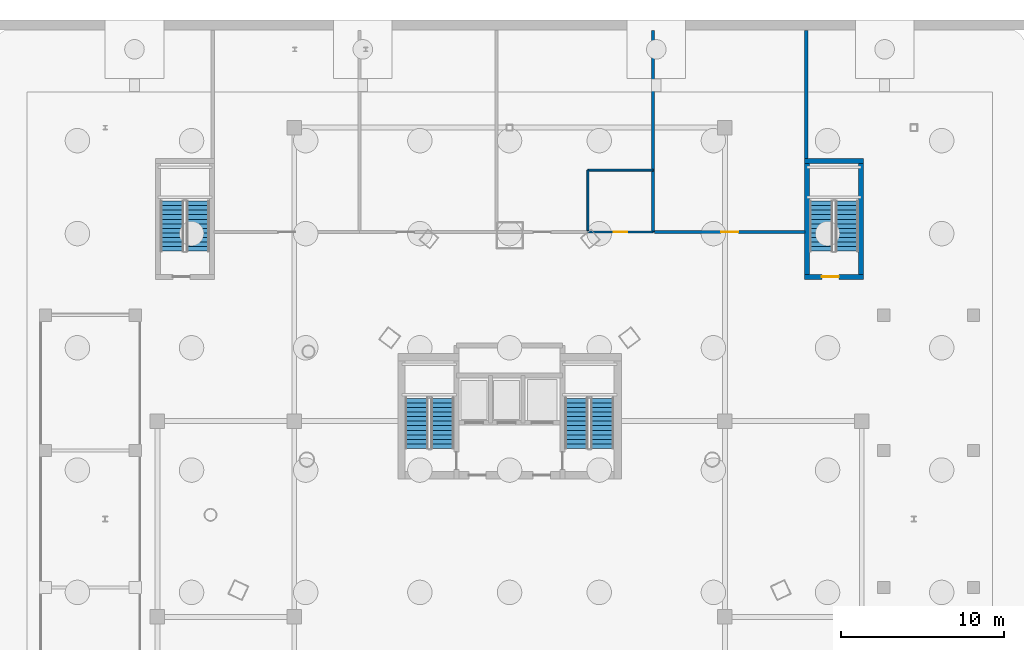
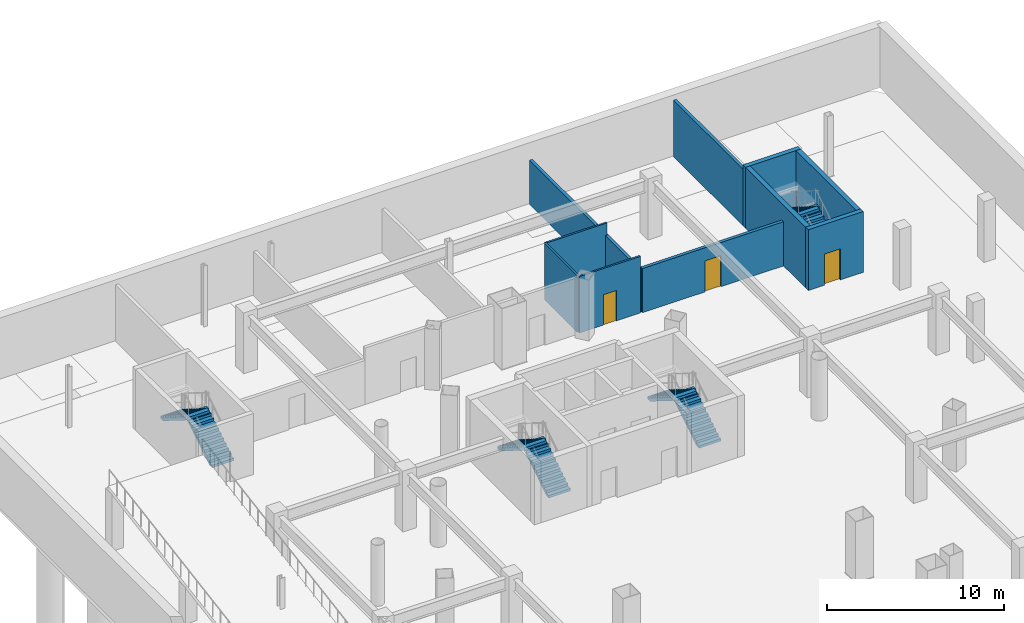
# One storey, part 8 of 12: 10 walls, 8 stair flights, 3 doors, 3 openings, 4 elements without a shape of their own.
"""IFC4 building model written with IfcOpenShell, lengths in metres."""

from ifc_helpers import new_model, si_unit, direction, frame, frame_2d, origin, place, context, subcontext, project, spatial, polyline, rectangle, outline, extrude, material, layer, layer_set, type_object, element, fill, aggregate, save


model = new_model("IFC4")

# Units and contexts
model_context = context("Model", 3, precision=1e-05, world=origin(), true_north=direction((0.0, 1.0)))
body_context = subcontext(model_context, "Body", "Model", "MODEL_VIEW")
ifc_project = project(units=[si_unit("LENGTHUNIT", "METRE"), si_unit("AREAUNIT", "SQUARE_METRE"), si_unit("VOLUMEUNIT", "CUBIC_METRE"), si_unit("PLANEANGLEUNIT", "RADIAN"), si_unit("MASSUNIT", "GRAM", prefix="KILO")], contexts=[model_context])

# Site, building, storey
site_placement = place(None, origin())
site = spatial("IfcSite", under=ifc_project, at=site_placement, CompositionType="ELEMENT")
building_placement = place(site_placement, origin())
building = spatial("IfcBuilding", under=site, at=building_placement, Name="Orvanel Arch Residences", CompositionType="ELEMENT")
storey_placement = place(building_placement, frame((0.0, 0.0, -8.39990234375)))
storey = spatial("IfcBuildingStorey", under=building, at=storey_placement, Name="B02", CompositionType="ELEMENT", Elevation=-8.39990234375)

# Walls
ifc_material_1 = material(Name="Concrete S80 (80 MPa)", Category="concrete")
ifc_layer_1 = layer(ifc_material_1, 0.300048828125)
ifc_layer_set_1 = layer_set([ifc_layer_1], Name="Concrete S80 (80 MPa)")
wall_type_1 = type_object("IfcWallType", Name="SW-CORE-300", PredefinedType="SHEAR", material=ifc_layer_set_1)
for number, where, z_axis, x_axis, name in (
    (1, (51.25, 38.699951171875, 0.0), (0.0, 0.0, 1.0), (0.0, 1.0, 0.0), "B02 ST4 West Shear Wall"),
    (2, (54.550048828125, 38.699951171875, 0.0), (0.0, 0.0, 1.0), (0.0, 1.0, 0.0), "B02 ST4 East Shear Wall"),
):
    element("IfcWall", number, at=place(storey_placement, frame(where, z_axis=z_axis, x_axis=x_axis)), inside=storey, type_object=wall_type_1, Name=name, PredefinedType="SHEAR", context=body_context, shape_type="SweptSolid", body=[
        extrude(rectangle(XDim=7.400146484375, YDim=0.300048828125, at=frame_2d((3.7001953125, 0.0))), origin(), (0.0, 0.0, 1.0), 4.199951171875),
    ])
wall_1_placement = place(storey_placement, frame((51.10009765625, 45.949951171875, 0.0), z_axis=(0.0, 0.0, 1.0), x_axis=(1.0, 0.0, 0.0)))
element("IfcWall", 3, at=wall_1_placement, inside=storey, type_object=wall_type_1, Name="B02 ST4 North Shear Wall", PredefinedType="SHEAR", context=body_context, shape_type="SweptSolid", body=[
    extrude(rectangle(XDim=3.599853515625, YDim=0.300048828125, at=frame_2d((1.7998046875, 0.0))), origin(), (0.0, 0.0, 1.0), 4.199951171875),
])

# Wall, opening, door
wall_2_placement = place(storey_placement, frame((51.10009765625, 38.85009765625, 0.0), z_axis=(0.0, 0.0, 1.0), x_axis=(1.0, 0.0, 0.0)))
wall_2 = element("IfcWall", 4, at=wall_2_placement, inside=storey, type_object=wall_type_1, Name="B02 ST4 South Shear Wall", PredefinedType="SHEAR", context=body_context, shape_type="SweptSolid", body=[
    extrude(rectangle(XDim=3.599853515625, YDim=0.300048828125, at=frame_2d((1.7998046875, 0.0))), origin(), (0.0, 0.0, 1.0), 4.199951171875),
])
opening_1_placement = place(wall_2_placement, frame((1.050048828125, 0.0, 0.0)))
opening_1 = element("IfcOpeningElement", 5, at=opening_1_placement, cuts=wall_2, Name="Opening DF-120", PredefinedType="OPENING", context=body_context, shape_type="SweptSolid", body=[
    extrude(rectangle(XDim=1.050048828125, YDim=2.14990234375, at=frame_2d((0.52490234375, 1.074951171875))), frame((0.0, 0.159912109375, 0.0), z_axis=(0.0, -1.0, 0.0), x_axis=(1.0, 0.0, 0.0)), (0.0, 0.0, 1.0), 0.320068359375),
])
ifc_material_2 = material(Name="Galvanised steel fire-resisting door assembly", Category="steel")
door_type_1 = type_object("IfcDoorType", Name="DR-FD120-1050", OperationType="NOTDEFINED", PredefinedType="DOOR", material=ifc_material_2)
door_1_placement = place(opening_1_placement, origin())
door_1 = element("IfcDoor", 6, at=door_1_placement, inside=storey, type_object=door_type_1, Name="DR-B02-ST4 B02 ST4 Exit Door", OperationType="SINGLE_SWING_LEFT", OverallHeight=2.14990234375, OverallWidth=1.050048828125, PredefinedType="DOOR", context=body_context, shape_type="SweptSolid", body=[
    extrude(rectangle(XDim=1.050048828125, YDim=2.14990234375, at=frame_2d((0.52490234375, 1.074951171875))), frame((0.0, 0.02490234375, 0.0), z_axis=(0.0, -1.0, 0.0), x_axis=(1.0, 0.0, 0.0)), (0.0, 0.0, 1.0), 0.050048828125),
])
fill(opening_1, door_1)

# Walls
ifc_material_3 = material(Name="Fire-rated plasterboard lined steel stud partition", Category="steel")
ifc_layer_2 = layer(ifc_material_3, 0.199951171875)
ifc_layer_set_2 = layer_set([ifc_layer_2], Name="Fire-rated plasterboard lined steel stud partition")
wall_type_2 = type_object("IfcWallType", Name="W-PLT-200", PredefinedType="PARTITIONING", material=ifc_layer_set_2)
wall_3_placement = place(storey_placement, frame((51.199951171875, 46.10009765625, 0.0), z_axis=(0.0, 0.0, 1.0), x_axis=(0.0, 1.0, 0.0)))
element("IfcWall", 7, at=wall_3_placement, inside=storey, type_object=wall_type_2, Name="B02 North Band East Wall", PredefinedType="PARTITIONING", context=body_context, shape_type="SweptSolid", body=[
    extrude(rectangle(XDim=7.849853515625, YDim=0.199951171875, at=frame_2d((3.9248046875, 0.0))), origin(), (0.0, 0.0, 1.0), 3.89990234375),
])
wall_4_placement = place(storey_placement, frame((41.800048828125, 41.60009765625, 0.0), z_axis=(0.0, 0.0, 1.0), x_axis=(0.0, 1.0, 0.0)))
element("IfcWall", 8, at=wall_4_placement, inside=storey, type_object=wall_type_2, Name="B02 Plant West Wall", PredefinedType="PARTITIONING", context=body_context, shape_type="SweptSolid", body=[
    extrude(rectangle(XDim=12.349853515625, YDim=0.199951171875, at=frame_2d((6.1748046875, 0.0))), origin(), (0.0, 0.0, 1.0), 3.048828125),
])

# Wall, opening, door
wall_5_placement = place(storey_placement, frame((41.885009765625, 41.60009765625, 0.0), z_axis=(0.0, 0.0, 1.0), x_axis=(1.0, 0.0, 0.0)))
wall_5 = element("IfcWall", 9, at=wall_5_placement, inside=storey, type_object=wall_type_2, Name="B02 Domestic Cold Water and Stormwater Building Services Plant Front Wall", PredefinedType="PARTITIONING", context=body_context, shape_type="SweptSolid", body=[
    extrude(rectangle(XDim=9.22998046875, YDim=0.199951171875, at=frame_2d((4.614990234375, 0.0))), origin(), (0.0, 0.0, 1.0), 3.048828125),
])
opening_2_placement = place(wall_5_placement, frame((4.090087890625, 0.0, 0.0)))
opening_2 = element("IfcOpeningElement", 10, at=opening_2_placement, cuts=wall_5, Name="Opening DF-120", PredefinedType="OPENING", context=body_context, shape_type="SweptSolid", body=[
    extrude(rectangle(XDim=1.050048828125, YDim=2.14990234375, at=frame_2d((0.52490234375, 1.074951171875))), frame((0.0, 0.10986328125, 0.0), z_axis=(0.0, -1.0, 0.0), x_axis=(1.0, 0.0, 0.0)), (0.0, 0.0, 1.0), 0.219970703125),
])
door_2_placement = place(opening_2_placement, origin())
door_2 = element("IfcDoor", 11, at=door_2_placement, inside=storey, type_object=door_type_1, Name="DR-B02-PLT2 B02 Domestic Cold Water and Stormwater Building Services Plant Door", OperationType="SINGLE_SWING_LEFT", OverallHeight=2.14990234375, OverallWidth=1.050048828125, PredefinedType="DOOR", context=body_context, shape_type="SweptSolid", body=[
    extrude(rectangle(XDim=1.050048828125, YDim=2.14990234375, at=frame_2d((0.52490234375, 1.074951171875))), frame((0.0, 0.02490234375, 0.0), z_axis=(0.0, -1.0, 0.0), x_axis=(1.0, 0.0, 0.0)), (0.0, 0.0, 1.0), 0.050048828125),
])
fill(opening_2, door_2)

ifc_material_4 = material(Name="Acoustic plasterboard lined twin-stud partition", Category="gypsum")
ifc_layer_3 = layer(ifc_material_4, 0.1201171875)
ifc_layer_set_3 = layer_set([ifc_layer_3], Name="Acoustic plasterboard lined twin-stud partition")
wall_type_3 = type_object("IfcWallType", Name="W-WET-120", PredefinedType="PARTITIONING", material=ifc_layer_set_3)
wall_6_placement = place(storey_placement, frame((37.800048828125, 41.60009765625, 0.0), z_axis=(0.0, 0.0, 1.0), x_axis=(1.0, 0.0, 0.0)))
wall_6 = element("IfcWall", 12, at=wall_6_placement, inside=storey, type_object=wall_type_3, Name="B02 Basement Staff Accessible WC Front Wall", PredefinedType="PARTITIONING", context=body_context, shape_type="SweptSolid", body=[
    extrude(rectangle(XDim=4.0, YDim=0.1201171875, at=frame_2d((2.0, 0.0))), origin(), (0.0, 0.0, 1.0), 3.89990234375),
])
opening_3_placement = place(wall_6_placement, frame((1.590087890625, 0.0, 0.0)))
opening_3 = element("IfcOpeningElement", 13, at=opening_3_placement, cuts=wall_6, Name="Opening DW-082", PredefinedType="OPENING", context=body_context, shape_type="SweptSolid", body=[
    extrude(rectangle(XDim=0.820068359375, YDim=2.10009765625, at=frame_2d((0.41015625, 1.050048828125))), frame((0.0, 0.070068359375, 0.0), z_axis=(0.0, -1.0, 0.0), x_axis=(1.0, 0.0, 0.0)), (0.0, 0.0, 1.0), 0.14013671875),
])
ifc_material_5 = material(Name="Solid-core European oak veneer fire door leaf", Category="wood")
door_type_2 = type_object("IfcDoorType", Name="DR-WET-820", OperationType="NOTDEFINED", PredefinedType="DOOR", material=ifc_material_5)
door_3_placement = place(opening_3_placement, origin())
door_3 = element("IfcDoor", 14, at=door_3_placement, inside=storey, type_object=door_type_2, Name="DR-B02-WC B02 Basement Staff Accessible WC Door", OperationType="SINGLE_SWING_LEFT", OverallHeight=2.10009765625, OverallWidth=0.820068359375, PredefinedType="DOOR", context=body_context, shape_type="SweptSolid", body=[
    extrude(rectangle(XDim=0.820068359375, YDim=2.10009765625, at=frame_2d((0.41015625, 1.050048828125))), frame((0.0, 0.02490234375, 0.0), z_axis=(0.0, -1.0, 0.0), x_axis=(1.0, 0.0, 0.0)), (0.0, 0.0, 1.0), 0.050048828125),
])
fill(opening_3, door_3)

# Walls
wall_7_placement = place(storey_placement, frame((37.800048828125, 45.39990234375, 0.0), z_axis=(0.0, 0.0, 1.0), x_axis=(1.0, 0.0, 0.0)))
element("IfcWall", 15, at=wall_7_placement, inside=storey, type_object=wall_type_3, Name="B02 WC North Wall", PredefinedType="PARTITIONING", context=body_context, shape_type="SweptSolid", body=[
    extrude(rectangle(XDim=4.0, YDim=0.1201171875, at=frame_2d((2.0, 0.0))), origin(), (0.0, 0.0, 1.0), 3.89990234375),
])
wall_8_placement = place(storey_placement, frame((37.800048828125, 41.68505859375, 0.0), z_axis=(0.0, 0.0, 1.0), x_axis=(0.0, 1.0, 0.0)))
element("IfcWall", 16, at=wall_8_placement, inside=storey, type_object=wall_type_3, Name="B02 WC West Wall", PredefinedType="PARTITIONING", context=body_context, shape_type="SweptSolid", body=[
    extrude(rectangle(XDim=3.71484375, YDim=0.1201171875, at=frame_2d((1.857421875, 0.0))), origin(), (0.0, 0.0, 1.0), 3.89990234375),
])

# Stair, stair flights
ifc_material_6 = material(Name="Precast concrete N50 (50 MPa)", Category="concrete")
stair_type = type_object("IfcStairType", Name="STR-DOG-175", PredefinedType="USERDEFINED", material=ifc_material_6)
stair_1_placement = place(storey_placement, origin())
stair_1 = element("IfcStair", 17, at=stair_1_placement, inside=storey, type_object=stair_type, Name="B02 Fire-Isolated Core Exit Stair 1", ObjectType="TWO_RETURN_STAIR", PredefinedType="USERDEFINED")
stair_flight_type_1 = type_object("IfcStairFlightType", Name="SFL-C1-175", PredefinedType="STRAIGHT", material=ifc_material_6)
stair_flight_1_placement = place(storey_placement, frame((28.889892578125, 28.320068359375, 0.0), z_axis=(0.0, 0.0, 1.0), x_axis=(0.0, 1.0, 0.0)))
stair_flight_1 = element("IfcStairFlight", 18, at=stair_flight_1_placement, type_object=stair_flight_type_1, Name="ST-1 flight 1", NumberOfRisers=12, NumberOfTreads=11, PredefinedType="STRAIGHT", RiserHeight=0.175, TreadLength=0.28, context=body_context, shape_type="SweptSolid", body=[
    extrude(outline(polyline([(0.0, 0.0), (0.0, 0.175048828125), (0.280029296875, 0.175048828125), (0.280029296875, 0.35009765625), (0.56005859375, 0.35009765625), (0.56005859375, 0.52490234375), (0.840087890625, 0.52490234375), (0.840087890625, 0.699951171875), (1.1201171875, 0.699951171875), (1.1201171875, 0.875), (1.39990234375, 0.875), (1.39990234375, 1.050048828125), (1.679931640625, 1.050048828125), (1.679931640625, 1.22509765625), (1.9599609375, 1.22509765625), (1.9599609375, 1.39990234375), (2.239990234375, 1.39990234375), (2.239990234375, 1.574951171875), (2.52001953125, 1.574951171875), (2.52001953125, 1.75), (2.800048828125, 1.75), (2.800048828125, 1.925048828125), (3.080078125, 1.925048828125), (3.080078125, 2.10009765625), (3.080078125, 1.748291015625), (0.28271484375, 0.0), (0.0, 0.0)])), frame((0.0, 0.7099609375, 0.0), z_axis=(0.0, -1.0, 0.0), x_axis=(1.0, 0.0, 0.0)), (0.0, 0.0, 1.0), 1.419921875),
])
stair_flight_2_placement = place(storey_placement, frame((27.31005859375, 31.39990234375, 2.099853515625), z_axis=(0.0, 0.0, 1.0), x_axis=(0.0, -1.0, 0.0)))
stair_flight_2 = element("IfcStairFlight", 19, at=stair_flight_2_placement, type_object=stair_flight_type_1, Name="ST-1 flight 2", NumberOfRisers=12, NumberOfTreads=11, PredefinedType="STRAIGHT", RiserHeight=0.175, TreadLength=0.28, context=body_context, shape_type="SweptSolid", body=[
    extrude(outline(polyline([(0.0, 0.0), (0.0, 0.175048828125), (0.280029296875, 0.175048828125), (0.280029296875, 0.35009765625), (0.56005859375, 0.35009765625), (0.56005859375, 0.52490234375), (0.840087890625, 0.52490234375), (0.840087890625, 0.699951171875), (1.1201171875, 0.699951171875), (1.1201171875, 0.875), (1.39990234375, 0.875), (1.39990234375, 1.050048828125), (1.679931640625, 1.050048828125), (1.679931640625, 1.22509765625), (1.9599609375, 1.22509765625), (1.9599609375, 1.39990234375), (2.239990234375, 1.39990234375), (2.239990234375, 1.574951171875), (2.52001953125, 1.574951171875), (2.52001953125, 1.75), (2.800048828125, 1.75), (2.800048828125, 1.925048828125), (3.080078125, 1.925048828125), (3.080078125, 2.10009765625), (3.080078125, 1.748291015625), (0.28271484375, 0.0), (0.0, 0.0)])), frame((0.0, 0.7099609375, 0.0), z_axis=(0.0, -1.0, 0.0), x_axis=(1.0, 0.0, 0.0)), (0.0, 0.0, 1.0), 1.419921875),
])
aggregate(stair_1, [stair_flight_1, stair_flight_2])

stair_2_placement = place(storey_placement, origin())
stair_2 = element("IfcStair", 20, at=stair_2_placement, inside=storey, type_object=stair_type, Name="B02 Fire-Isolated Core Exit Stair 2", ObjectType="TWO_RETURN_STAIR", PredefinedType="USERDEFINED")
stair_flight_type_2 = type_object("IfcStairFlightType", Name="SFL-C2-175", PredefinedType="STRAIGHT", material=ifc_material_6)
stair_flight_3_placement = place(storey_placement, frame((38.68994140625, 28.320068359375, 0.0), z_axis=(0.0, 0.0, 1.0), x_axis=(0.0, 1.0, 0.0)))
stair_flight_3 = element("IfcStairFlight", 21, at=stair_flight_3_placement, type_object=stair_flight_type_2, Name="ST-2 flight 1", NumberOfRisers=12, NumberOfTreads=11, PredefinedType="STRAIGHT", RiserHeight=0.175, TreadLength=0.28, context=body_context, shape_type="SweptSolid", body=[
    extrude(outline(polyline([(0.0, 0.0), (0.0, 0.175048828125), (0.280029296875, 0.175048828125), (0.280029296875, 0.35009765625), (0.56005859375, 0.35009765625), (0.56005859375, 0.52490234375), (0.840087890625, 0.52490234375), (0.840087890625, 0.699951171875), (1.1201171875, 0.699951171875), (1.1201171875, 0.875), (1.39990234375, 0.875), (1.39990234375, 1.050048828125), (1.679931640625, 1.050048828125), (1.679931640625, 1.22509765625), (1.9599609375, 1.22509765625), (1.9599609375, 1.39990234375), (2.239990234375, 1.39990234375), (2.239990234375, 1.574951171875), (2.52001953125, 1.574951171875), (2.52001953125, 1.75), (2.800048828125, 1.75), (2.800048828125, 1.925048828125), (3.080078125, 1.925048828125), (3.080078125, 2.10009765625), (3.080078125, 1.748291015625), (0.28271484375, 0.0), (0.0, 0.0)])), frame((0.0, 0.7099609375, 0.0), z_axis=(0.0, -1.0, 0.0), x_axis=(1.0, 0.0, 0.0)), (0.0, 0.0, 1.0), 1.419921875),
])
stair_flight_4_placement = place(storey_placement, frame((37.110107421875, 31.39990234375, 2.099853515625), z_axis=(0.0, 0.0, 1.0), x_axis=(0.0, -1.0, 0.0)))
stair_flight_4 = element("IfcStairFlight", 22, at=stair_flight_4_placement, type_object=stair_flight_type_2, Name="ST-2 flight 2", NumberOfRisers=12, NumberOfTreads=11, PredefinedType="STRAIGHT", RiserHeight=0.175, TreadLength=0.28, context=body_context, shape_type="SweptSolid", body=[
    extrude(outline(polyline([(0.0, 0.0), (0.0, 0.175048828125), (0.280029296875, 0.175048828125), (0.280029296875, 0.35009765625), (0.56005859375, 0.35009765625), (0.56005859375, 0.52490234375), (0.840087890625, 0.52490234375), (0.840087890625, 0.699951171875), (1.1201171875, 0.699951171875), (1.1201171875, 0.875), (1.39990234375, 0.875), (1.39990234375, 1.050048828125), (1.679931640625, 1.050048828125), (1.679931640625, 1.22509765625), (1.9599609375, 1.22509765625), (1.9599609375, 1.39990234375), (2.239990234375, 1.39990234375), (2.239990234375, 1.574951171875), (2.52001953125, 1.574951171875), (2.52001953125, 1.75), (2.800048828125, 1.75), (2.800048828125, 1.925048828125), (3.080078125, 1.925048828125), (3.080078125, 2.10009765625), (3.080078125, 1.748291015625), (0.28271484375, 0.0), (0.0, 0.0)])), frame((0.0, 0.7099609375, 0.0), z_axis=(0.0, -1.0, 0.0), x_axis=(1.0, 0.0, 0.0)), (0.0, 0.0, 1.0), 1.419921875),
])
aggregate(stair_2, [stair_flight_3, stair_flight_4])

stair_3_placement = place(storey_placement, origin())
stair_3 = element("IfcStair", 23, at=stair_3_placement, inside=storey, type_object=stair_type, Name="B02 West Podium Fire-Isolated Exit Stair 3", ObjectType="TWO_RETURN_STAIR", PredefinedType="USERDEFINED")
stair_flight_type_3 = type_object("IfcStairFlightType", Name="SFL-C3-175", PredefinedType="STRAIGHT", material=ifc_material_6)
stair_flight_5_placement = place(storey_placement, frame((13.889892578125, 40.419921875, 0.0), z_axis=(0.0, 0.0, 1.0), x_axis=(0.0, 1.0, 0.0)))
stair_flight_5 = element("IfcStairFlight", 24, at=stair_flight_5_placement, type_object=stair_flight_type_3, Name="ST-3 flight 1", NumberOfRisers=12, NumberOfTreads=11, PredefinedType="STRAIGHT", RiserHeight=0.175, TreadLength=0.28, context=body_context, shape_type="SweptSolid", body=[
    extrude(outline(polyline([(0.0, 0.0), (0.0, 0.175048828125), (0.280029296875, 0.175048828125), (0.280029296875, 0.35009765625), (0.56005859375, 0.35009765625), (0.56005859375, 0.52490234375), (0.840087890625, 0.52490234375), (0.840087890625, 0.699951171875), (1.1201171875, 0.699951171875), (1.1201171875, 0.875), (1.39990234375, 0.875), (1.39990234375, 1.050048828125), (1.679931640625, 1.050048828125), (1.679931640625, 1.22509765625), (1.9599609375, 1.22509765625), (1.9599609375, 1.39990234375), (2.239990234375, 1.39990234375), (2.239990234375, 1.574951171875), (2.52001953125, 1.574951171875), (2.52001953125, 1.75), (2.800048828125, 1.75), (2.800048828125, 1.925048828125), (3.080078125, 1.925048828125), (3.080078125, 2.10009765625), (3.080078125, 1.748291015625), (0.28271484375, 0.0), (0.0, 0.0)])), frame((0.0, 0.7099609375, 0.0), z_axis=(0.0, -1.0, 0.0), x_axis=(1.0, 0.0, 0.0)), (0.0, 0.0, 1.0), 1.419921875),
])
stair_flight_6_placement = place(storey_placement, frame((12.31005859375, 43.5, 2.099853515625), z_axis=(0.0, 0.0, 1.0), x_axis=(0.0, -1.0, 0.0)))
stair_flight_6 = element("IfcStairFlight", 25, at=stair_flight_6_placement, type_object=stair_flight_type_3, Name="ST-3 flight 2", NumberOfRisers=12, NumberOfTreads=11, PredefinedType="STRAIGHT", RiserHeight=0.175, TreadLength=0.28, context=body_context, shape_type="SweptSolid", body=[
    extrude(outline(polyline([(0.0, 0.0), (0.0, 0.175048828125), (0.280029296875, 0.175048828125), (0.280029296875, 0.35009765625), (0.56005859375, 0.35009765625), (0.56005859375, 0.52490234375), (0.840087890625, 0.52490234375), (0.840087890625, 0.699951171875), (1.1201171875, 0.699951171875), (1.1201171875, 0.875), (1.39990234375, 0.875), (1.39990234375, 1.050048828125), (1.679931640625, 1.050048828125), (1.679931640625, 1.22509765625), (1.9599609375, 1.22509765625), (1.9599609375, 1.39990234375), (2.239990234375, 1.39990234375), (2.239990234375, 1.574951171875), (2.52001953125, 1.574951171875), (2.52001953125, 1.75), (2.800048828125, 1.75), (2.800048828125, 1.925048828125), (3.080078125, 1.925048828125), (3.080078125, 2.10009765625), (3.080078125, 1.748291015625), (0.28271484375, 0.0), (0.0, 0.0)])), frame((0.0, 0.7099609375, 0.0), z_axis=(0.0, -1.0, 0.0), x_axis=(1.0, 0.0, 0.0)), (0.0, 0.0, 1.0), 1.419921875),
])
aggregate(stair_3, [stair_flight_5, stair_flight_6])

stair_4_placement = place(storey_placement, origin())
stair_4 = element("IfcStair", 26, at=stair_4_placement, inside=storey, type_object=stair_type, Name="B02 East Podium Fire-Isolated Exit Stair 4", ObjectType="TWO_RETURN_STAIR", PredefinedType="USERDEFINED")
stair_flight_type_4 = type_object("IfcStairFlightType", Name="SFL-C4-175", PredefinedType="STRAIGHT", material=ifc_material_6)
stair_flight_7_placement = place(storey_placement, frame((53.68994140625, 40.419921875, 0.0), z_axis=(0.0, 0.0, 1.0), x_axis=(0.0, 1.0, 0.0)))
stair_flight_7 = element("IfcStairFlight", 27, at=stair_flight_7_placement, type_object=stair_flight_type_4, Name="ST-4 flight 1", NumberOfRisers=12, NumberOfTreads=11, PredefinedType="STRAIGHT", RiserHeight=0.175, TreadLength=0.28, context=body_context, shape_type="SweptSolid", body=[
    extrude(outline(polyline([(0.0, 0.0), (0.0, 0.175048828125), (0.280029296875, 0.175048828125), (0.280029296875, 0.35009765625), (0.56005859375, 0.35009765625), (0.56005859375, 0.52490234375), (0.840087890625, 0.52490234375), (0.840087890625, 0.699951171875), (1.1201171875, 0.699951171875), (1.1201171875, 0.875), (1.39990234375, 0.875), (1.39990234375, 1.050048828125), (1.679931640625, 1.050048828125), (1.679931640625, 1.22509765625), (1.9599609375, 1.22509765625), (1.9599609375, 1.39990234375), (2.239990234375, 1.39990234375), (2.239990234375, 1.574951171875), (2.52001953125, 1.574951171875), (2.52001953125, 1.75), (2.800048828125, 1.75), (2.800048828125, 1.925048828125), (3.080078125, 1.925048828125), (3.080078125, 2.10009765625), (3.080078125, 1.748291015625), (0.28271484375, 0.0), (0.0, 0.0)])), frame((0.0, 0.7099609375, 0.0), z_axis=(0.0, -1.0, 0.0), x_axis=(1.0, 0.0, 0.0)), (0.0, 0.0, 1.0), 1.419921875),
])
stair_flight_8_placement = place(storey_placement, frame((52.110107421875, 43.5, 2.099853515625), z_axis=(0.0, 0.0, 1.0), x_axis=(0.0, -1.0, 0.0)))
stair_flight_8 = element("IfcStairFlight", 28, at=stair_flight_8_placement, type_object=stair_flight_type_4, Name="ST-4 flight 2", NumberOfRisers=12, NumberOfTreads=11, PredefinedType="STRAIGHT", RiserHeight=0.175, TreadLength=0.28, context=body_context, shape_type="SweptSolid", body=[
    extrude(outline(polyline([(0.0, 0.0), (0.0, 0.175048828125), (0.280029296875, 0.175048828125), (0.280029296875, 0.35009765625), (0.56005859375, 0.35009765625), (0.56005859375, 0.52490234375), (0.840087890625, 0.52490234375), (0.840087890625, 0.699951171875), (1.1201171875, 0.699951171875), (1.1201171875, 0.875), (1.39990234375, 0.875), (1.39990234375, 1.050048828125), (1.679931640625, 1.050048828125), (1.679931640625, 1.22509765625), (1.9599609375, 1.22509765625), (1.9599609375, 1.39990234375), (2.239990234375, 1.39990234375), (2.239990234375, 1.574951171875), (2.52001953125, 1.574951171875), (2.52001953125, 1.75), (2.800048828125, 1.75), (2.800048828125, 1.925048828125), (3.080078125, 1.925048828125), (3.080078125, 2.10009765625), (3.080078125, 1.748291015625), (0.28271484375, 0.0), (0.0, 0.0)])), frame((0.0, 0.7099609375, 0.0), z_axis=(0.0, -1.0, 0.0), x_axis=(1.0, 0.0, 0.0)), (0.0, 0.0, 1.0), 1.419921875),
])
aggregate(stair_4, [stair_flight_7, stair_flight_8])

save(model, "model.ifc")
